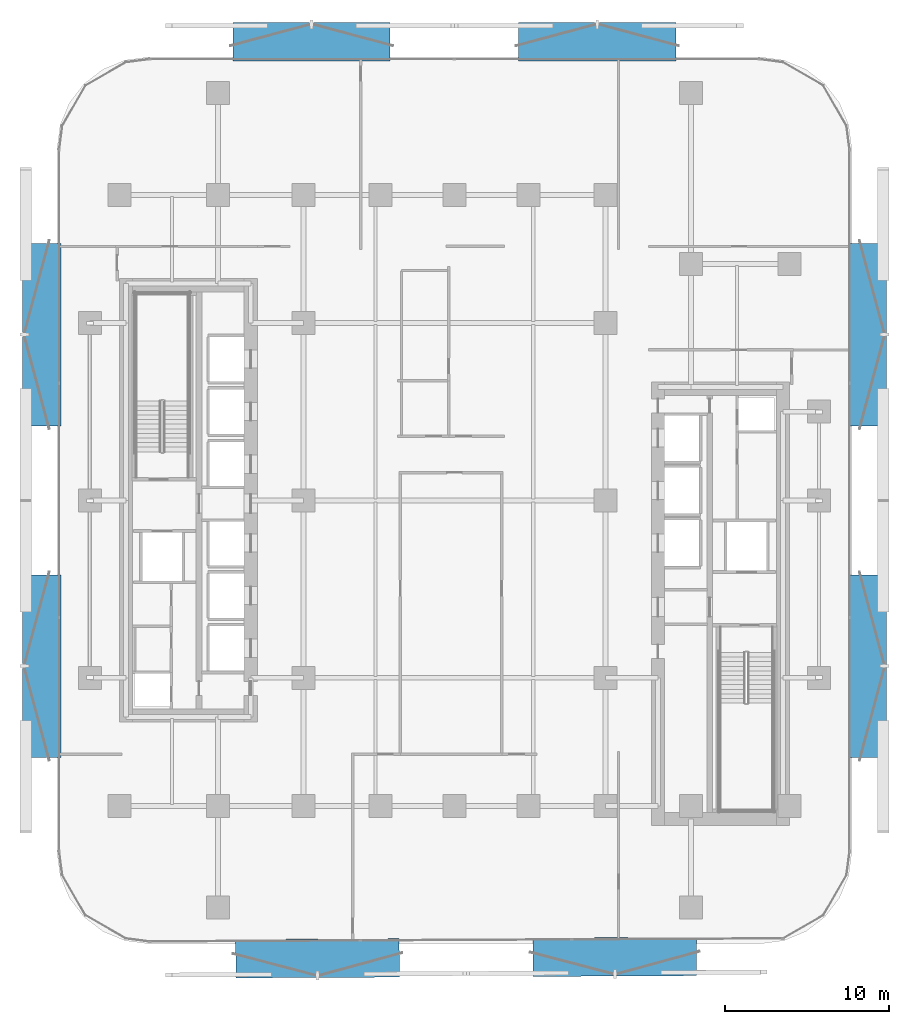
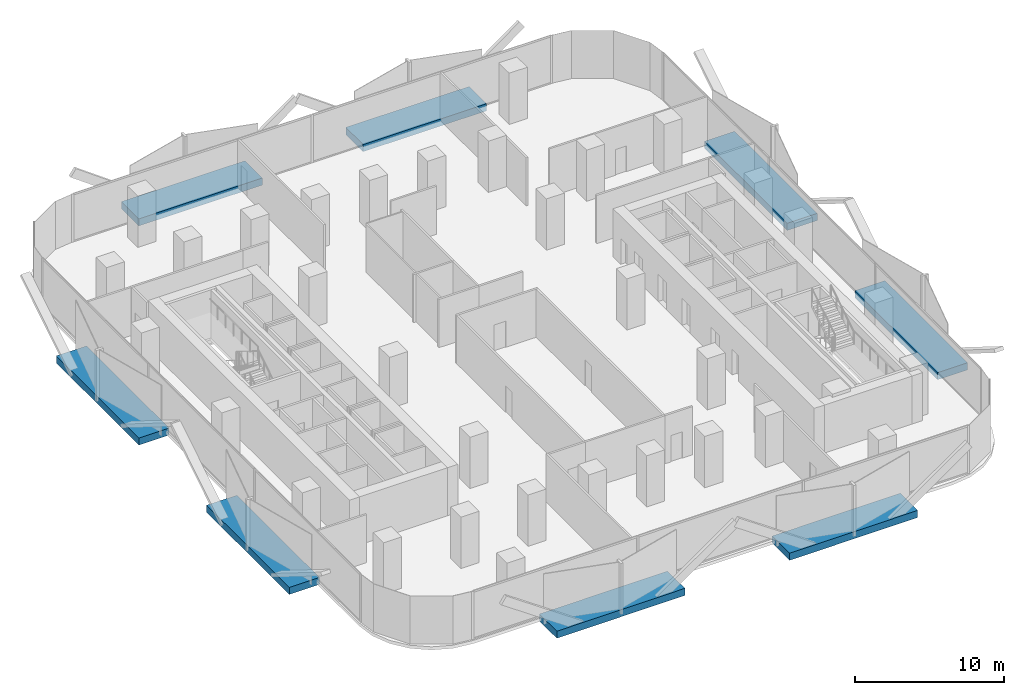
# One storey, part 6 of 15: 8 discrete accessories.
"""IFC4 building model written with IfcOpenShell, lengths in metres."""

from ifc_helpers import new_model, si_unit, direction, frame, origin, origin_2d, place, context, subcontext, project, spatial, rectangle, extrude, material, type_object, element, save


model = new_model("IFC4")

# Units and contexts
model_context = context("Model", 3, precision=1e-05, world=origin(), true_north=direction((0.0, 1.0)))
body_context = subcontext(model_context, "Body", "Model", "MODEL_VIEW")
ifc_project = project(units=[si_unit("LENGTHUNIT", "METRE"), si_unit("AREAUNIT", "SQUARE_METRE"), si_unit("VOLUMEUNIT", "CUBIC_METRE"), si_unit("PLANEANGLEUNIT", "RADIAN"), si_unit("MASSUNIT", "GRAM", prefix="KILO")], contexts=[model_context])

# Site, building, storey
site_placement = place(None, origin())
site = spatial("IfcSite", under=ifc_project, at=site_placement, CompositionType="ELEMENT")
building_placement = place(site_placement, origin())
building = spatial("IfcBuilding", under=site, at=building_placement, Name="Khairoan Windgate Tower", CompositionType="ELEMENT")
storey_placement = place(building_placement, frame((0.0, 0.0, 47.0)))
storey = spatial("IfcBuildingStorey", under=building, at=storey_placement, Name="L11", CompositionType="ELEMENT", Elevation=47.0)

# Discrete accessories
ifc_material = material(Name="Steel S355", Category="steel")
discrete_accessory_type = type_object("IfcDiscreteAccessoryType", Name="Solar Screen Outrigger Slab Bracket SSB-1", PredefinedType="BRACKET", material=ifc_material)
for number, where, z_axis, x_axis, name in (
    (1, (9.76708984375, -27.79248046875, -0.419921875), (0.0, 0.0, 1.0), (-0.999988059021, -0.004886902454, 0.0), "L11 Solar Screen Outrigger Bracket 41"),
    (2, (-8.334716796875, -27.88037109375, -0.419921875), (0.0, 0.0, 1.0), (-0.999988059021, -0.004886902454, 0.0), "L11 Solar Screen Outrigger Bracket 42"),
):
    element("IfcDiscreteAccessory", number, at=place(storey_placement, frame(where, z_axis=z_axis, x_axis=x_axis)), inside=storey, type_object=discrete_accessory_type, Name=name, PredefinedType="BRACKET", context=body_context, shape_type="SweptSolid", body=[
        extrude(rectangle(XDim=9.9560546875, YDim=2.340087890625, at=origin_2d()), origin(), (0.0, 0.0, 1.0), 0.580078125),
    ])
for number, where, z_axis, x_axis, name in (
    (3, (-25.1298828125, -10.095458984375, -0.419921875), (0.0, 0.0, 1.0), (0.0, 1.0, 0.0), "L11 Solar Screen Outrigger Bracket 43"),
    (4, (-25.1298828125, 10.095458984375, -0.419921875), (0.0, 0.0, 1.0), (0.0, 1.0, 0.0), "L11 Solar Screen Outrigger Bracket 44"),
):
    element("IfcDiscreteAccessory", number, at=place(storey_placement, frame(where, z_axis=z_axis, x_axis=x_axis)), inside=storey, type_object=discrete_accessory_type, Name=name, PredefinedType="BRACKET", context=body_context, shape_type="SweptSolid", body=[
        extrude(rectangle(XDim=11.10498046875, YDim=2.340087890625, at=origin_2d()), origin(), (0.0, 0.0, 1.0), 0.580078125),
    ])
for number, where, z_axis, x_axis, name in (
    (5, (-8.6953125, 27.929931640625, -0.419921875), (0.0, 0.0, 1.0), (1.0, 0.0, 0.0), "L11 Solar Screen Outrigger Bracket 45"),
    (6, (8.6953125, 27.929931640625, -0.419921875), (0.0, 0.0, 1.0), (1.0, 0.0, 0.0), "L11 Solar Screen Outrigger Bracket 46"),
):
    element("IfcDiscreteAccessory", number, at=place(storey_placement, frame(where, z_axis=z_axis, x_axis=x_axis)), inside=storey, type_object=discrete_accessory_type, Name=name, PredefinedType="BRACKET", context=body_context, shape_type="SweptSolid", body=[
        extrude(rectangle(XDim=9.56494140625, YDim=2.340087890625, at=origin_2d()), origin(), (0.0, 0.0, 1.0), 0.580078125),
    ])
for number, where, z_axis, x_axis, name in (
    (7, (25.1298828125, 10.095458984375, -0.419921875), (0.0, 0.0, 1.0), (0.0, -1.0, 0.0), "L11 Solar Screen Outrigger Bracket 47"),
    (8, (25.1298828125, -10.095458984375, -0.419921875), (0.0, 0.0, 1.0), (0.0, -1.0, 0.0), "L11 Solar Screen Outrigger Bracket 48"),
):
    element("IfcDiscreteAccessory", number, at=place(storey_placement, frame(where, z_axis=z_axis, x_axis=x_axis)), inside=storey, type_object=discrete_accessory_type, Name=name, PredefinedType="BRACKET", context=body_context, shape_type="SweptSolid", body=[
        extrude(rectangle(XDim=11.10498046875, YDim=2.340087890625, at=origin_2d()), origin(), (0.0, 0.0, 1.0), 0.580078125),
    ])

save(model, "model.ifc")
